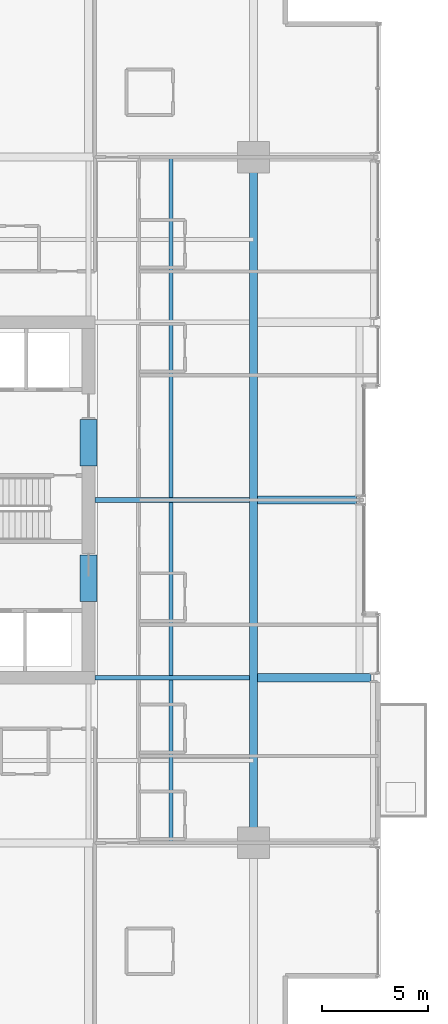
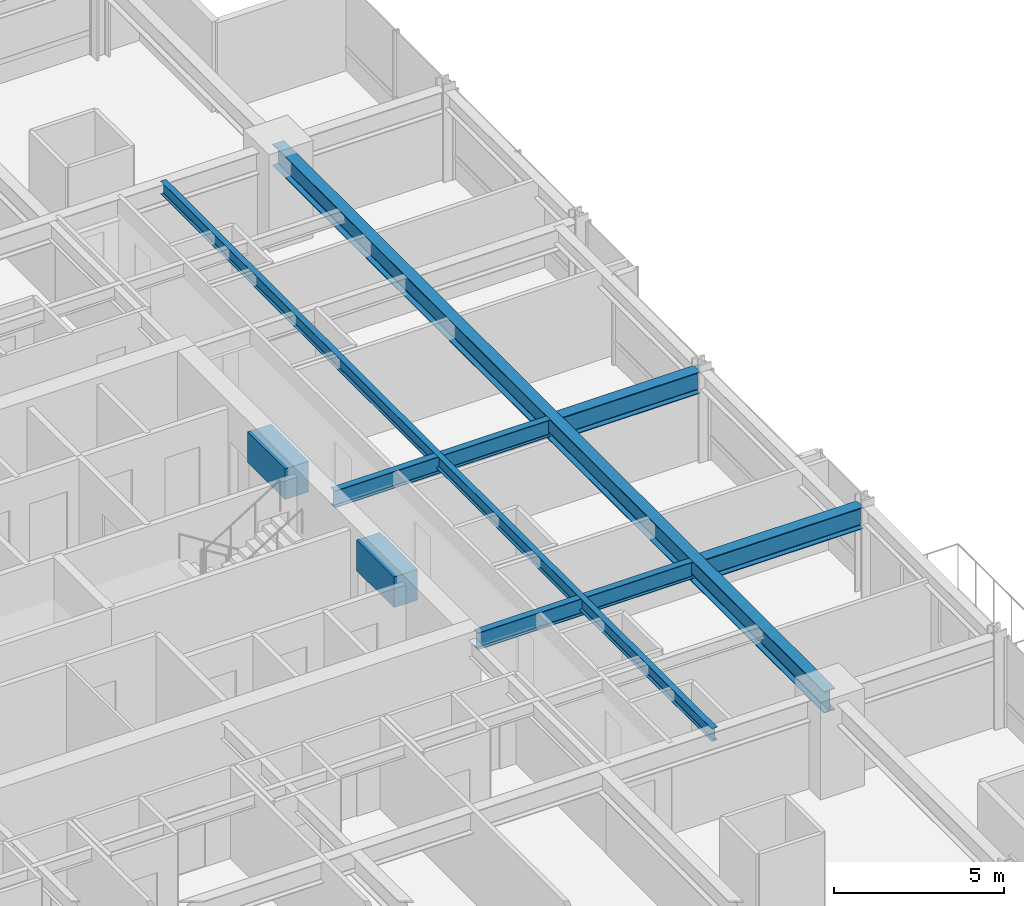
# One storey, part 14 of 35: 8 beams.
"""IFC4 building model written with IfcOpenShell, lengths in metres."""

from ifc_helpers import new_model, si_unit, direction, frame, origin, origin_2d, place, context, subcontext, project, spatial, rectangle, i_section, extrude, material, material_profile, profile_set, type_object, element, save


model = new_model("IFC4")

# Units and contexts
model_context = context("Model", 3, precision=1e-05, world=origin(), true_north=direction((0.0, 1.0)))
body_context = subcontext(model_context, "Body", "Model", "MODEL_VIEW")
ifc_project = project(units=[si_unit("LENGTHUNIT", "METRE"), si_unit("AREAUNIT", "SQUARE_METRE"), si_unit("VOLUMEUNIT", "CUBIC_METRE"), si_unit("PLANEANGLEUNIT", "RADIAN"), si_unit("MASSUNIT", "GRAM", prefix="KILO")], contexts=[model_context])

# Site, building, storey
site_placement = place(None, origin())
site = spatial("IfcSite", under=ifc_project, at=site_placement, CompositionType="ELEMENT")
building_placement = place(site_placement, origin())
building = spatial("IfcBuilding", under=site, at=building_placement, Name="Drelvath Grand Hotel", CompositionType="ELEMENT")
storey_placement = place(building_placement, frame((0.0, 0.0, 98.800048828125)))
storey = spatial("IfcBuildingStorey", under=building, at=storey_placement, Name="L24", CompositionType="ELEMENT", Elevation=98.800048828125)

# Beams
ifc_material_1 = material(Name="Steel ASTM A992 Gr 50", Category="steel")
ifc_material_profile_1 = material_profile(ifc_material_1, i_section(OverallWidth=0.19140625, OverallDepth=0.4599609375, WebThickness=0.010009765625, FlangeThickness=0.01611328125, FilletRadius=0.01611328125, at=origin_2d()), Name="W18X55")
ifc_profile_set_1 = profile_set([ifc_material_profile_1], Name="Steel ASTM A992 Gr 50")
beam_type_1 = type_object("IfcBeamType", Name="Composite Floor Joist W18X55", PredefinedType="JOIST", material=ifc_profile_set_1)
beam_1_placement = place(storey_placement, frame((12.300048828125, 10.800048828125, 3.010009765625), z_axis=(0.0, 1.0, 0.0), x_axis=(-1.0, 0.0, 0.0)))
element("IfcBeam", 1, at=beam_1_placement, inside=storey, type_object=beam_type_1, Name="L24 Wing Floor Joist J4", PredefinedType="JOIST", context=body_context, shape_type="SweptSolid", body=[
    extrude(i_section(OverallWidth=0.19140625, OverallDepth=0.4599609375, WebThickness=0.010009765625, FlangeThickness=0.01611328125, FilletRadius=0.01611328125, at=origin_2d()), origin(), (0.0, 0.0, 1.0), 32.39990234375),
])
ifc_material_2 = material(Name="Concrete f'c 70 MPa", Category="concrete")
ifc_material_profile_2 = material_profile(ifc_material_2, rectangle(XDim=0.800048828125, YDim=1.10009765625, at=origin_2d()), Name="CB800X1100")
ifc_profile_set_2 = profile_set([ifc_material_profile_2], Name="Concrete f'c 70 MPa")
beam_type_2 = type_object("IfcBeamType", Name="Core Coupling Lintel CB800X1100", PredefinedType="LINTEL", material=ifc_profile_set_2)
for number, where, z_axis, x_axis, name in (
    (2, (8.39990234375, 22.199951171875, 2.68994140625), (0.0, 1.0, 0.0), (-1.0, 0.0, 0.0), "L24 Core Coupling Lintel ES"),
    (3, (8.39990234375, 28.60009765625, 2.68994140625), (0.0, 1.0, 0.0), (-1.0, 0.0, 0.0), "L24 Core Coupling Lintel EN"),
):
    element("IfcBeam", number, at=place(storey_placement, frame(where, z_axis=z_axis, x_axis=x_axis)), inside=storey, type_object=beam_type_2, Name=name, PredefinedType="LINTEL", context=body_context, shape_type="SweptSolid", body=[
        extrude(rectangle(XDim=0.800048828125, YDim=1.10009765625, at=origin_2d()), origin(), (0.0, 0.0, 1.0), 2.199951171875),
    ])
ifc_material_profile_3 = material_profile(ifc_material_1, i_section(OverallWidth=0.228271484375, OverallDepth=0.607666015625, WebThickness=0.01123046875, FlangeThickness=0.017333984375, FilletRadius=0.02001953125, at=origin_2d()), Name="W24X76")
ifc_profile_set_3 = profile_set([ifc_material_profile_3], Name="Steel ASTM A992 Gr 50")
beam_type_3 = type_object("IfcBeamType", Name="Primary Floor Girder W24X76", PredefinedType="BEAM", material=ifc_profile_set_3)
for number, where, z_axis, x_axis, name in (
    (4, (8.699951171875, 18.60009765625, 2.93603515625), (1.0, 0.0, 0.0), (0.0, 1.0, 0.0), "L24 East Core Tie D"),
    (5, (8.699951171875, 27.0, 2.93603515625), (1.0, 0.0, 0.0), (0.0, 1.0, 0.0), "L24 East Core Tie E"),
):
    element("IfcBeam", number, at=place(storey_placement, frame(where, z_axis=z_axis, x_axis=x_axis)), inside=storey, type_object=beam_type_3, Name=name, PredefinedType="BEAM", context=body_context, shape_type="SweptSolid", body=[
        extrude(i_section(OverallWidth=0.228271484375, OverallDepth=0.607666015625, WebThickness=0.01123046875, FlangeThickness=0.017333984375, FilletRadius=0.02001953125, at=origin_2d()), origin(), (0.0, 0.0, 1.0), 7.309814453125),
    ])
ifc_material_profile_4 = material_profile(ifc_material_1, i_section(OverallWidth=0.380615234375, OverallDepth=0.773193359375, WebThickness=0.0166015625, FlangeThickness=0.027099609375, FilletRadius=0.02490234375, at=origin_2d()), Name="W30X173")
ifc_profile_set_4 = profile_set([ifc_material_profile_4], Name="Steel ASTM A992 Gr 50")
beam_type_4 = type_object("IfcBeamType", Name="Primary Floor Girder W30X173", PredefinedType="BEAM", material=ifc_profile_set_4)
beam_2_placement = place(storey_placement, frame((16.199951171875, 10.800048828125, 2.853271484375), z_axis=(0.0, 1.0, 0.0), x_axis=(-1.0, 0.0, 0.0)))
element("IfcBeam", 6, at=beam_2_placement, inside=storey, type_object=beam_type_4, Name="L24 Mega Ring Girder East", PredefinedType="BEAM", context=body_context, shape_type="SweptSolid", body=[
    extrude(i_section(OverallWidth=0.380615234375, OverallDepth=0.773193359375, WebThickness=0.0166015625, FlangeThickness=0.027099609375, FilletRadius=0.02490234375, at=origin_2d()), origin(), (0.0, 0.0, 1.0), 32.39990234375),
])
beam_3_placement = place(storey_placement, frame((16.390380859375, 18.60009765625, 2.853271484375), z_axis=(1.0, 0.0, 0.0), x_axis=(0.0, 1.0, 0.0)))
element("IfcBeam", 7, at=beam_3_placement, inside=storey, type_object=beam_type_4, Name="L24 East Wing Girder D", PredefinedType="BEAM", context=body_context, shape_type="SweptSolid", body=[
    extrude(i_section(OverallWidth=0.380615234375, OverallDepth=0.773193359375, WebThickness=0.0166015625, FlangeThickness=0.027099609375, FilletRadius=0.02490234375, at=origin_2d()), origin(), (0.0, 0.0, 1.0), 5.349609375),
])
beam_4_placement = place(storey_placement, frame((16.390380859375, 27.0, 2.853271484375), z_axis=(1.0, 0.0, 0.0), x_axis=(0.0, 1.0, 0.0)))
element("IfcBeam", 8, at=beam_4_placement, inside=storey, type_object=beam_type_4, Name="L24 East Wing Girder E", PredefinedType="BEAM", context=body_context, shape_type="SweptSolid", body=[
    extrude(i_section(OverallWidth=0.380615234375, OverallDepth=0.773193359375, WebThickness=0.0166015625, FlangeThickness=0.027099609375, FilletRadius=0.02490234375, at=origin_2d()), origin(), (0.0, 0.0, 1.0), 4.669677734375),
])

save(model, "model.ifc")
